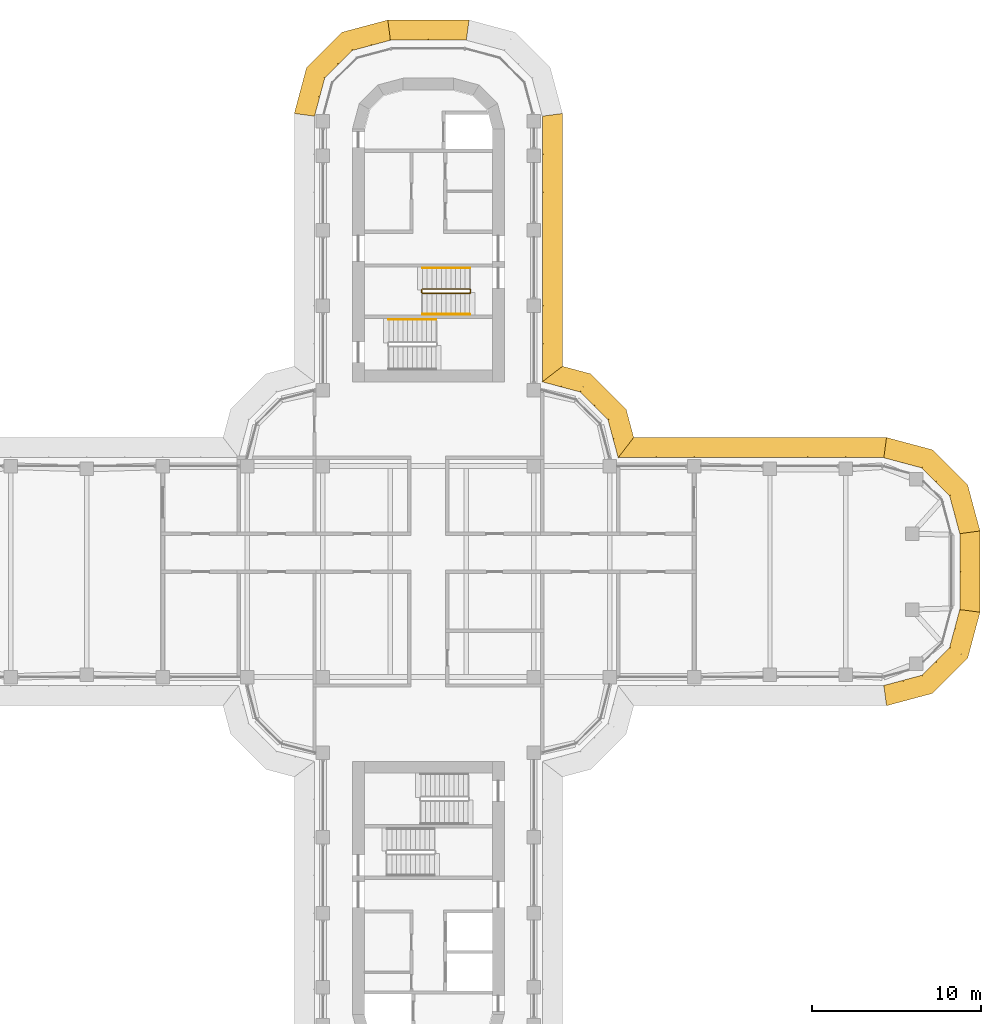
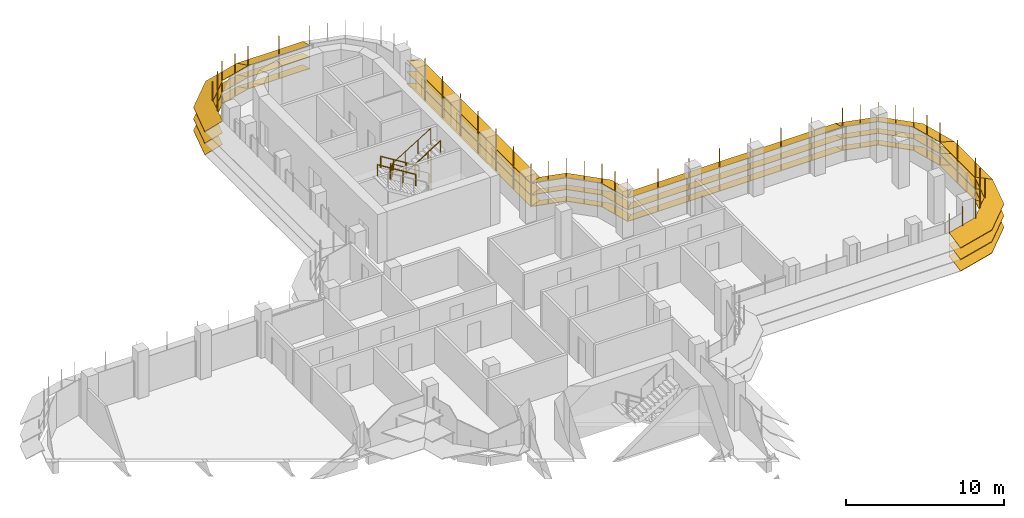
# One storey, part 19 of 20: 8 shading devices, 4 railings.
"""IFC4 building model written with IfcOpenShell, lengths in metres."""

from ifc_helpers import new_model, si_unit, direction, frame, origin, origin_2d, place, context, subcontext, project, spatial, polyline, circle, outline, extrude, faceted_brep, source, transform, mapped, material, type_object, element, save


model = new_model("IFC4")

# Units and contexts
model_context = context("Model", 3, precision=1e-05, world=origin(), true_north=direction((0.0, 1.0)))
body_context = subcontext(model_context, "Body", "Model", "MODEL_VIEW")
ifc_project = project(units=[si_unit("LENGTHUNIT", "METRE"), si_unit("AREAUNIT", "SQUARE_METRE"), si_unit("VOLUMEUNIT", "CUBIC_METRE"), si_unit("PLANEANGLEUNIT", "RADIAN"), si_unit("MASSUNIT", "GRAM", prefix="KILO")], contexts=[model_context])

# Site, building, storey
site_placement = place(None, origin())
site = spatial("IfcSite", under=ifc_project, at=site_placement, CompositionType="ELEMENT")
building_placement = place(site_placement, origin())
building = spatial("IfcBuilding", under=site, at=building_placement, Name="Zarbagh Exchange Tower", CompositionType="ELEMENT")
storey_placement = place(building_placement, frame((0.0, 0.0, 148.60009765625)))
storey = spatial("IfcBuildingStorey", under=building, at=storey_placement, Name="L35", CompositionType="ELEMENT", Elevation=148.60009765625)

# Railings
ifc_material_1 = material(Name="Stainless steel", Category="steel")
railing_type_1 = type_object("IfcRailingType", Name="Stair guard 1100 mm", PredefinedType="GUARDRAIL", material=ifc_material_1)
railing_1_placement = place(storey_placement, frame((-0.35009765625, 16.5, 2.072509765625)))
element("IfcRailing", 1, at=railing_1_placement, inside=storey, type_object=railing_type_1, Name="ST1 stair guard 1", PredefinedType="GUARDRAIL", context=body_context, shape_type="SweptSolid", body=[
    extrude(circle(Radius=0.02392578125, at=origin_2d()), frame((0.0, 0.0, 1.076171875), z_axis=(0.851089632645, 0.0, 0.525020415988), x_axis=(0.0, 1.0, 0.0)), (0.0, 0.0, 1.0), 3.2900390625),
    extrude(circle(Radius=0.02392578125, at=origin_2d()), frame((2.800048828125, 0.0, 2.80322265625), z_axis=(0.013169136761, 0.013169136761, -0.999826558796), x_axis=(-0.707106781187, 0.707106781187, 0.0)), (0.0, 0.0, 1.0), 3.800537109375),
    extrude(circle(Radius=0.02392578125, at=origin_2d()), frame((2.85009765625, 0.050048828125, -0.99658203125), z_axis=(0.0, 1.0, 0.0), x_axis=(-1.0, 0.0, 0.0)), (0.0, 0.0, 1.0), 0.14990234375),
    extrude(circle(Radius=0.02392578125, at=origin_2d()), frame((2.85009765625, 0.199951171875, -0.99658203125), z_axis=(-0.268277960024, 0.268277960024, 0.925231793839), x_axis=(-0.707106781187, -0.707106781187, 0.0)), (0.0, 0.0, 1.0), 0.1865234375),
    extrude(circle(Radius=0.02392578125, at=origin_2d()), frame((2.800048828125, 0.25, -0.82373046875), z_axis=(-0.851089632645, 0.0, 0.525020415988), x_axis=(0.0, -1.0, 0.0)), (0.0, 0.0, 1.0), 3.2900390625),
    extrude(circle(Radius=0.02392578125, at=origin_2d()), frame((0.0, 0.25, 0.9033203125), z_axis=(-0.705375805398, -0.708833529934, 0.0), x_axis=(0.708833529934, -0.705375805398, 0.0)), (0.0, 0.0, 1.0), 0.070556640625),
    extrude(circle(Radius=0.02392578125, at=origin_2d()), frame((-0.0498046875, 0.199951171875, 0.9033203125), z_axis=(0.0, -1.0, 0.0), x_axis=(1.0, 0.0, 0.0)), (0.0, 0.0, 1.0), 0.14990234375),
    extrude(circle(Radius=0.02099609375, at=origin_2d()), origin(), (0.0, 0.0, 1.0), 1.052001953125),
    extrude(circle(Radius=0.02099609375, at=origin_2d()), frame((0.933349609375, 0.0, 0.57568359375)), (0.0, 0.0, 1.0), 1.052001953125),
    extrude(circle(Radius=0.02099609375, at=origin_2d()), frame((1.86669921875, 0.0, 1.151611328125)), (0.0, 0.0, 1.0), 1.052001953125),
    extrude(circle(Radius=0.02099609375, at=origin_2d()), frame((2.800048828125, 0.0, 1.727294921875)), (0.0, 0.0, 1.0), 1.052001953125),
    extrude(circle(Radius=0.02099609375, at=origin_2d()), frame((2.8125, 0.012451171875, 0.77734375)), (0.0, 0.0, 1.0), 1.052001953125),
    extrude(circle(Radius=0.02099609375, at=origin_2d()), frame((2.8251953125, 0.02490234375, -0.172607421875)), (0.0, 0.0, 1.0), 1.052001953125),
    extrude(circle(Radius=0.02099609375, at=origin_2d()), frame((2.837646484375, 0.03759765625, -1.12255859375)), (0.0, 0.0, 1.0), 1.052001953125),
    extrude(circle(Radius=0.02099609375, at=origin_2d()), frame((2.85009765625, 0.050048828125, -2.072509765625)), (0.0, 0.0, 1.0), 1.052001953125),
    extrude(circle(Radius=0.02099609375, at=origin_2d()), frame((2.85009765625, 0.199951171875, -2.072509765625)), (0.0, 0.0, 1.0), 1.052001953125),
    extrude(circle(Radius=0.02099609375, at=origin_2d()), frame((2.800048828125, 0.25, -1.89990234375)), (0.0, 0.0, 1.0), 1.052001953125),
    extrude(circle(Radius=0.02099609375, at=origin_2d()), frame((1.86669921875, 0.25, -1.32421875)), (0.0, 0.0, 1.0), 1.052001953125),
    extrude(circle(Radius=0.02099609375, at=origin_2d()), frame((0.933349609375, 0.25, -0.748291015625)), (0.0, 0.0, 1.0), 1.052001953125),
    extrude(circle(Radius=0.02099609375, at=origin_2d()), frame((0.0, 0.25, -0.172607421875)), (0.0, 0.0, 1.0), 1.052001953125),
    extrude(circle(Radius=0.02099609375, at=origin_2d()), frame((-0.0498046875, 0.199951171875, -0.172607421875)), (0.0, 0.0, 1.0), 1.052001953125),
    extrude(circle(Radius=0.02099609375, at=origin_2d()), frame((-0.0498046875, 0.050048828125, -0.172607421875)), (0.0, 0.0, 1.0), 1.052001953125),
])
railing_type_2 = type_object("IfcRailingType", Name="Stair handrail 900 mm", PredefinedType="HANDRAIL", material=ifc_material_1)
railing_2_placement = place(storey_placement, frame((2.449951171875, 18.0, 0.172607421875)))
element("IfcRailing", 2, at=railing_2_placement, inside=storey, type_object=railing_type_2, Name="ST1 stair handrail 1", PredefinedType="HANDRAIL", context=body_context, shape_type="SweptSolid", body=[
    extrude(circle(Radius=0.02392578125, at=origin_2d()), frame((0.0, 0.0, 0.8759765625), z_axis=(-0.851089632645, 0.0, 0.525020415988), x_axis=(0.0, -1.0, 0.0)), (0.0, 0.0, 1.0), 3.2900390625),
    extrude(circle(Radius=0.02099609375, at=origin_2d()), origin(), (0.0, 0.0, 1.0), 0.851806640625),
    extrude(circle(Radius=0.02099609375, at=origin_2d()), frame((-0.933349609375, 0.0, 0.57568359375)), (0.0, 0.0, 1.0), 0.851806640625),
    extrude(circle(Radius=0.02099609375, at=origin_2d()), frame((-1.86669921875, 0.0, 1.151611328125)), (0.0, 0.0, 1.0), 0.851806640625),
    extrude(circle(Radius=0.02099609375, at=origin_2d()), frame((-2.800048828125, 0.0, 1.727294921875)), (0.0, 0.0, 1.0), 0.851806640625),
])
railing_3_placement = place(storey_placement, frame((-0.35009765625, 15.25, 2.072509765625)))
element("IfcRailing", 3, at=railing_3_placement, inside=storey, type_object=railing_type_2, Name="ST1 stair handrail 2", PredefinedType="HANDRAIL", context=body_context, shape_type="SweptSolid", body=[
    extrude(circle(Radius=0.02392578125, at=origin_2d()), frame((0.0, 0.0, 0.8759765625), z_axis=(0.851089632645, 0.0, 0.525020415988), x_axis=(0.0, 1.0, 0.0)), (0.0, 0.0, 1.0), 3.2900390625),
    extrude(circle(Radius=0.02099609375, at=origin_2d()), origin(), (0.0, 0.0, 1.0), 0.851806640625),
    extrude(circle(Radius=0.02099609375, at=origin_2d()), frame((0.933349609375, 0.0, 0.57568359375)), (0.0, 0.0, 1.0), 0.851806640625),
    extrude(circle(Radius=0.02099609375, at=origin_2d()), frame((1.86669921875, 0.0, 1.151611328125)), (0.0, 0.0, 1.0), 0.851806640625),
    extrude(circle(Radius=0.02099609375, at=origin_2d()), frame((2.800048828125, 0.0, 1.727294921875)), (0.0, 0.0, 1.0), 0.851806640625),
])
railing_4_placement = place(storey_placement, frame((0.449951171875, 14.949951171875, 2.072509765625)))
element("IfcRailing", 4, at=railing_4_placement, inside=storey, type_object=railing_type_2, Name="ST2 stair handrail 2", PredefinedType="HANDRAIL", context=body_context, shape_type="SweptSolid", body=[
    extrude(circle(Radius=0.02392578125, at=origin_2d()), frame((0.0, 0.0, 0.8759765625), z_axis=(-0.851089632645, 0.0, 0.525020415988), x_axis=(0.0, -1.0, 0.0)), (0.0, 0.0, 1.0), 3.2900390625),
    extrude(circle(Radius=0.02099609375, at=origin_2d()), origin(), (0.0, 0.0, 1.0), 0.851806640625),
    extrude(circle(Radius=0.02099609375, at=origin_2d()), frame((-0.933349609375, 0.0, 0.57568359375)), (0.0, 0.0, 1.0), 0.851806640625),
    extrude(circle(Radius=0.02099609375, at=origin_2d()), frame((-1.86669921875, 0.0, 1.151611328125)), (0.0, 0.0, 1.0), 0.851806640625),
    extrude(circle(Radius=0.02099609375, at=origin_2d()), frame((-2.800048828125, 0.0, 1.727294921875)), (0.0, 0.0, 1.0), 0.851806640625),
])

# Shading devices
ifc_material_2 = material(Name="Anodised aluminium blades and brackets", Category="aluminium")
shading_device_type = type_object("IfcShadingDeviceType", Name="SUNSHADE louvre band, 22.5 degree blades", PredefinedType="JALOUSIE", material=ifc_material_2)
shared_shape_1 = source(origin(), body_context, "Body", "Brep", [
    faceted_brep([(0.0, 0.0, 0.0), (0.0, 0.0, -0.043212890625), (-0.157958984375, -1.199951171875, -0.540283203125), (-0.157958984375, -1.199951171875, -0.4970703125), (2.65087890625, -1.199951171875, -0.4970703125), (2.65087890625, -1.199951171875, -0.540283203125), (2.329345703125, 0.0, -0.043212890625), (2.329345703125, 0.0, 0.0)], [[[0, 1, 2, 3]], [[4, 5, 6, 7]], [[0, 7, 6, 1]], [[1, 6, 5, 2]], [[2, 5, 4, 3]], [[3, 4, 7, 0]]]),
])
shared_shape_2 = source(origin(), body_context, "Body", "Brep", [
    faceted_brep([(0.0, 0.0, 0.0), (0.0, 0.0, -0.043212890625), (-0.321533203125, -1.199951171875, -0.540283203125), (-0.321533203125, -1.199951171875, -0.4970703125), (2.65087890625, -1.199951171875, -0.4970703125), (2.65087890625, -1.199951171875, -0.540283203125), (2.329345703125, 0.0, -0.043212890625), (2.329345703125, 0.0, 0.0)], [[[0, 1, 2, 3]], [[4, 5, 6, 7]], [[0, 7, 6, 1]], [[1, 6, 5, 2]], [[2, 5, 4, 3]], [[3, 4, 7, 0]]]),
])
shared_shape_3 = source(origin(), body_context, "Body", "Brep", [
    faceted_brep([(0.0, 0.0, 0.0), (0.0, 0.0, -0.043212890625), (-0.321533203125, -1.199951171875, -0.540283203125), (-0.321533203125, -1.199951171875, -0.4970703125), (2.4873046875, -1.199951171875, -0.4970703125), (2.4873046875, -1.199951171875, -0.540283203125), (2.329345703125, 0.0, -0.043212890625), (2.329345703125, 0.0, 0.0)], [[[0, 1, 2, 3]], [[4, 5, 6, 7]], [[0, 7, 6, 1]], [[1, 6, 5, 2]], [[2, 5, 4, 3]], [[3, 4, 7, 0]]]),
])
shared_shape_4 = source(origin(), body_context, "Body", "SweptSolid", [
    extrude(outline(polyline([(0.0, -0.012451171875), (0.06005859375, -0.012451171875), (0.06005859375, 0.012451171875), (0.0, 0.012451171875), (0.0, -0.012451171875)])), origin(), (0.0, 0.0, 1.0), 3.353271484375),
])
placement = place(storey_placement, origin())
element("IfcShadingDevice", 5, at=placement, inside=storey, type_object=shading_device_type, Name="SS31 sunshade band", PredefinedType="JALOUSIE", context=body_context, shape_type="MappedRepresentation", body=[
    mapped(shared_shape_1, transform((27.0, -6.75, 2.2998046875), x_axis=(0.965924289636, 0.258824779902, 0.0), y_axis=(-0.258824779902, 0.965924289636, 0.0), z_axis=(0.0, 0.0, 1.0))),
    mapped(shared_shape_1, transform((27.0, -6.75, 1.39990234375), x_axis=(0.965924289636, 0.258824779902, 0.0), y_axis=(-0.258824779902, 0.965924289636, 0.0), z_axis=(0.0, 0.0, 1.0))),
    mapped(shared_shape_1, transform((27.0, -6.75, 0.5), x_axis=(0.965924289636, 0.258824779902, 0.0), y_axis=(-0.258824779902, 0.965924289636, 0.0), z_axis=(0.0, 0.0, 1.0))),
    mapped(shared_shape_2, transform((29.25, -6.147216796875, 2.2998046875), x_axis=(0.707106781187, 0.707106781187, 0.0), y_axis=(-0.707106781187, 0.707106781187, 0.0), z_axis=(0.0, 0.0, 1.0))),
    mapped(shared_shape_2, transform((29.25, -6.147216796875, 1.39990234375), x_axis=(0.707106781187, 0.707106781187, 0.0), y_axis=(-0.707106781187, 0.707106781187, 0.0), z_axis=(0.0, 0.0, 1.0))),
    mapped(shared_shape_2, transform((29.25, -6.147216796875, 0.5), x_axis=(0.707106781187, 0.707106781187, 0.0), y_axis=(-0.707106781187, 0.707106781187, 0.0), z_axis=(0.0, 0.0, 1.0))),
    mapped(shared_shape_3, transform((30.897216796875, -4.5, 2.2998046875), x_axis=(0.258824779902, 0.965924289636, 0.0), y_axis=(-0.965924289636, 0.258824779902, 0.0), z_axis=(0.0, 0.0, 1.0))),
    mapped(shared_shape_3, transform((30.897216796875, -4.5, 1.39990234375), x_axis=(0.258824779902, 0.965924289636, 0.0), y_axis=(-0.965924289636, 0.258824779902, 0.0), z_axis=(0.0, 0.0, 1.0))),
    mapped(shared_shape_3, transform((30.897216796875, -4.5, 0.5), x_axis=(0.258824779902, 0.965924289636, 0.0), y_axis=(-0.965924289636, 0.258824779902, 0.0), z_axis=(0.0, 0.0, 1.0))),
    mapped(shared_shape_4, transform((27.0, -6.75, 0.426513671875), x_axis=(0.130529263012, -0.991444457092, 0.0), y_axis=(0.991444457092, 0.130529263012, 0.0), z_axis=(0.0, 0.0, 1.0))),
    mapped(shared_shape_4, transform((28.125, -6.448486328125, 0.426513671875), x_axis=(0.258825058029, -0.96592421511, 0.0), y_axis=(0.96592421511, 0.258825058029, 0.0), z_axis=(0.0, 0.0, 1.0))),
    mapped(shared_shape_4, transform((29.25, -6.147216796875, 0.426513671875), x_axis=(0.50000275701, -0.866023812018, 0.0), y_axis=(0.866023812018, 0.50000275701, 0.0), z_axis=(0.0, 0.0, 1.0))),
    mapped(shared_shape_4, transform((30.073486328125, -5.323486328125, 0.426513671875), x_axis=(0.707106781187, -0.707106781187, 0.0), y_axis=(0.707106781187, 0.707106781187, 0.0), z_axis=(0.0, 0.0, 1.0))),
    mapped(shared_shape_4, transform((30.897216796875, -4.5, 0.426513671875), x_axis=(0.866023812018, -0.50000275701, 0.0), y_axis=(0.50000275701, 0.866023812018, 0.0), z_axis=(0.0, 0.0, 1.0))),
    mapped(shared_shape_4, transform((31.198486328125, -3.375, 0.426513671875), x_axis=(0.96592421511, -0.258825058029, 0.0), y_axis=(0.258825058029, 0.96592421511, 0.0), z_axis=(0.0, 0.0, 1.0))),
])
element("IfcShadingDevice", 6, at=placement, inside=storey, type_object=shading_device_type, Name="SS33 sunshade band", PredefinedType="JALOUSIE", context=body_context, shape_type="MappedRepresentation", body=[
    mapped(shared_shape_1, transform((31.5, 2.25, 2.2998046875), x_axis=(-0.258824779902, 0.965924289636, 0.0), y_axis=(-0.965924289636, -0.258824779902, 0.0), z_axis=(0.0, 0.0, 1.0))),
    mapped(shared_shape_1, transform((31.5, 2.25, 1.39990234375), x_axis=(-0.258824779902, 0.965924289636, 0.0), y_axis=(-0.965924289636, -0.258824779902, 0.0), z_axis=(0.0, 0.0, 1.0))),
    mapped(shared_shape_1, transform((31.5, 2.25, 0.5), x_axis=(-0.258824779902, 0.965924289636, 0.0), y_axis=(-0.965924289636, -0.258824779902, 0.0), z_axis=(0.0, 0.0, 1.0))),
    mapped(shared_shape_2, transform((30.897216796875, 4.5, 2.2998046875), x_axis=(-0.707106781187, 0.707106781187, 0.0), y_axis=(-0.707106781187, -0.707106781187, 0.0), z_axis=(0.0, 0.0, 1.0))),
    mapped(shared_shape_2, transform((30.897216796875, 4.5, 1.39990234375), x_axis=(-0.707106781187, 0.707106781187, 0.0), y_axis=(-0.707106781187, -0.707106781187, 0.0), z_axis=(0.0, 0.0, 1.0))),
    mapped(shared_shape_2, transform((30.897216796875, 4.5, 0.5), x_axis=(-0.707106781187, 0.707106781187, 0.0), y_axis=(-0.707106781187, -0.707106781187, 0.0), z_axis=(0.0, 0.0, 1.0))),
    mapped(shared_shape_3, transform((29.25, 6.147216796875, 2.2998046875), x_axis=(-0.965924289636, 0.258824779902, 0.0), y_axis=(-0.258824779902, -0.965924289636, 0.0), z_axis=(0.0, 0.0, 1.0))),
    mapped(shared_shape_3, transform((29.25, 6.147216796875, 1.39990234375), x_axis=(-0.965924289636, 0.258824779902, 0.0), y_axis=(-0.258824779902, -0.965924289636, 0.0), z_axis=(0.0, 0.0, 1.0))),
    mapped(shared_shape_3, transform((29.25, 6.147216796875, 0.5), x_axis=(-0.965924289636, 0.258824779902, 0.0), y_axis=(-0.258824779902, -0.965924289636, 0.0), z_axis=(0.0, 0.0, 1.0))),
    mapped(shared_shape_4, transform((31.5, 2.25, 0.426513671875), x_axis=(0.991444457092, 0.130529263012, 0.0), y_axis=(-0.130529263012, 0.991444457092, 0.0), z_axis=(0.0, 0.0, 1.0))),
    mapped(shared_shape_4, transform((31.198486328125, 3.375, 0.426513671875), x_axis=(0.96592421511, 0.258825058029, 0.0), y_axis=(-0.258825058029, 0.96592421511, 0.0), z_axis=(0.0, 0.0, 1.0))),
    mapped(shared_shape_4, transform((30.897216796875, 4.5, 0.426513671875), x_axis=(0.866023812018, 0.50000275701, 0.0), y_axis=(-0.50000275701, 0.866023812018, 0.0), z_axis=(0.0, 0.0, 1.0))),
    mapped(shared_shape_4, transform((30.073486328125, 5.323486328125, 0.426513671875), x_axis=(0.707106781187, 0.707106781187, 0.0), y_axis=(-0.707106781187, 0.707106781187, 0.0), z_axis=(0.0, 0.0, 1.0))),
    mapped(shared_shape_4, transform((29.25, 6.147216796875, 0.426513671875), x_axis=(0.50000275701, 0.866023812018, 0.0), y_axis=(-0.866023812018, 0.50000275701, 0.0), z_axis=(0.0, 0.0, 1.0))),
    mapped(shared_shape_4, transform((28.125, 6.448486328125, 0.426513671875), x_axis=(0.258825058029, 0.96592421511, 0.0), y_axis=(-0.96592421511, 0.258825058029, 0.0), z_axis=(0.0, 0.0, 1.0))),
])
element("IfcShadingDevice", 7, at=placement, inside=storey, type_object=shading_device_type, Name="SS28 sunshade band", PredefinedType="JALOUSIE", context=body_context, shape_type="MappedRepresentation", body=[
    mapped(shared_shape_1, transform((-2.25, 31.5, 2.2998046875), x_axis=(-0.965924289636, -0.258824779902, 0.0), y_axis=(0.258824779902, -0.965924289636, 0.0), z_axis=(0.0, 0.0, 1.0))),
    mapped(shared_shape_1, transform((-2.25, 31.5, 1.39990234375), x_axis=(-0.965924289636, -0.258824779902, 0.0), y_axis=(0.258824779902, -0.965924289636, 0.0), z_axis=(0.0, 0.0, 1.0))),
    mapped(shared_shape_1, transform((-2.25, 31.5, 0.5), x_axis=(-0.965924289636, -0.258824779902, 0.0), y_axis=(0.258824779902, -0.965924289636, 0.0), z_axis=(0.0, 0.0, 1.0))),
    mapped(shared_shape_2, transform((-4.5, 30.897216796875, 2.2998046875), x_axis=(-0.707106781187, -0.707106781187, 0.0), y_axis=(0.707106781187, -0.707106781187, 0.0), z_axis=(0.0, 0.0, 1.0))),
    mapped(shared_shape_2, transform((-4.5, 30.897216796875, 1.39990234375), x_axis=(-0.707106781187, -0.707106781187, 0.0), y_axis=(0.707106781187, -0.707106781187, 0.0), z_axis=(0.0, 0.0, 1.0))),
    mapped(shared_shape_2, transform((-4.5, 30.897216796875, 0.5), x_axis=(-0.707106781187, -0.707106781187, 0.0), y_axis=(0.707106781187, -0.707106781187, 0.0), z_axis=(0.0, 0.0, 1.0))),
    mapped(shared_shape_3, transform((-6.147216796875, 29.25, 2.2998046875), x_axis=(-0.258824779902, -0.965924289636, 0.0), y_axis=(0.965924289636, -0.258824779902, 0.0), z_axis=(0.0, 0.0, 1.0))),
    mapped(shared_shape_3, transform((-6.147216796875, 29.25, 1.39990234375), x_axis=(-0.258824779902, -0.965924289636, 0.0), y_axis=(0.965924289636, -0.258824779902, 0.0), z_axis=(0.0, 0.0, 1.0))),
    mapped(shared_shape_3, transform((-6.147216796875, 29.25, 0.5), x_axis=(-0.258824779902, -0.965924289636, 0.0), y_axis=(0.965924289636, -0.258824779902, 0.0), z_axis=(0.0, 0.0, 1.0))),
    mapped(shared_shape_4, transform((-2.25, 31.5, 0.426513671875), x_axis=(-0.130529263012, 0.991444457092, 0.0), y_axis=(-0.991444457092, -0.130529263012, 0.0), z_axis=(0.0, 0.0, 1.0))),
    mapped(shared_shape_4, transform((-3.375, 31.198486328125, 0.426513671875), x_axis=(-0.258825058029, 0.96592421511, 0.0), y_axis=(-0.96592421511, -0.258825058029, 0.0), z_axis=(0.0, 0.0, 1.0))),
    mapped(shared_shape_4, transform((-4.5, 30.897216796875, 0.426513671875), x_axis=(-0.50000275701, 0.866023812018, 0.0), y_axis=(-0.866023812018, -0.50000275701, 0.0), z_axis=(0.0, 0.0, 1.0))),
    mapped(shared_shape_4, transform((-5.323486328125, 30.073486328125, 0.426513671875), x_axis=(-0.707106781187, 0.707106781187, 0.0), y_axis=(-0.707106781187, -0.707106781187, 0.0), z_axis=(0.0, 0.0, 1.0))),
    mapped(shared_shape_4, transform((-6.147216796875, 29.25, 0.426513671875), x_axis=(-0.866023812018, 0.50000275701, 0.0), y_axis=(-0.50000275701, -0.866023812018, 0.0), z_axis=(0.0, 0.0, 1.0))),
    mapped(shared_shape_4, transform((-6.448486328125, 28.125, 0.426513671875), x_axis=(-0.96592421511, 0.258825058029, 0.0), y_axis=(-0.258825058029, -0.96592421511, 0.0), z_axis=(0.0, 0.0, 1.0))),
])
shared_shape_5 = source(origin(), body_context, "Body", "Brep", [
    faceted_brep([(0.0, 0.0, 0.0), (0.0, 0.0, -0.043212890625), (0.9208984375, -1.199951171875, -0.540283203125), (0.9208984375, -1.199951171875, -0.4970703125), (2.65087890625, -1.199951171875, -0.4970703125), (2.65087890625, -1.199951171875, -0.540283203125), (2.329345703125, 0.0, -0.043212890625), (2.329345703125, 0.0, 0.0)], [[[0, 1, 2, 3]], [[4, 5, 6, 7]], [[0, 7, 6, 1]], [[1, 6, 5, 2]], [[2, 5, 4, 3]], [[3, 4, 7, 0]]]),
])
shared_shape_6 = source(origin(), body_context, "Body", "Brep", [
    faceted_brep([(0.0, 0.0, 0.0), (0.0, 0.0, -0.043212890625), (-0.321533203125, -1.199951171875, -0.540283203125), (-0.321533203125, -1.199951171875, -0.4970703125), (1.40869140625, -1.199951171875, -0.4970703125), (1.40869140625, -1.199951171875, -0.540283203125), (2.329345703125, 0.0, -0.043212890625), (2.329345703125, 0.0, 0.0)], [[[0, 1, 2, 3]], [[4, 5, 6, 7]], [[0, 7, 6, 1]], [[1, 6, 5, 2]], [[2, 5, 4, 3]], [[3, 4, 7, 0]]]),
])
element("IfcShadingDevice", 8, at=placement, inside=storey, type_object=shading_device_type, Name="SS09 sunshade band", PredefinedType="JALOUSIE", context=body_context, shape_type="MappedRepresentation", body=[
    mapped(shared_shape_5, transform((11.25, 6.75, 2.2998046875), x_axis=(-0.258824779902, 0.965924289636, 0.0), y_axis=(-0.965924289636, -0.258824779902, 0.0), z_axis=(0.0, 0.0, 1.0))),
    mapped(shared_shape_5, transform((11.25, 6.75, 1.39990234375), x_axis=(-0.258824779902, 0.965924289636, 0.0), y_axis=(-0.965924289636, -0.258824779902, 0.0), z_axis=(0.0, 0.0, 1.0))),
    mapped(shared_shape_5, transform((11.25, 6.75, 0.5), x_axis=(-0.258824779902, 0.965924289636, 0.0), y_axis=(-0.965924289636, -0.258824779902, 0.0), z_axis=(0.0, 0.0, 1.0))),
    mapped(shared_shape_2, transform((10.647216796875, 9.0, 2.2998046875), x_axis=(-0.707106781187, 0.707106781187, 0.0), y_axis=(-0.707106781187, -0.707106781187, 0.0), z_axis=(0.0, 0.0, 1.0))),
    mapped(shared_shape_2, transform((10.647216796875, 9.0, 1.39990234375), x_axis=(-0.707106781187, 0.707106781187, 0.0), y_axis=(-0.707106781187, -0.707106781187, 0.0), z_axis=(0.0, 0.0, 1.0))),
    mapped(shared_shape_2, transform((10.647216796875, 9.0, 0.5), x_axis=(-0.707106781187, 0.707106781187, 0.0), y_axis=(-0.707106781187, -0.707106781187, 0.0), z_axis=(0.0, 0.0, 1.0))),
    mapped(shared_shape_6, transform((9.0, 10.647216796875, 2.2998046875), x_axis=(-0.965924289636, 0.258824779902, 0.0), y_axis=(-0.258824779902, -0.965924289636, 0.0), z_axis=(0.0, 0.0, 1.0))),
    mapped(shared_shape_6, transform((9.0, 10.647216796875, 1.39990234375), x_axis=(-0.965924289636, 0.258824779902, 0.0), y_axis=(-0.258824779902, -0.965924289636, 0.0), z_axis=(0.0, 0.0, 1.0))),
    mapped(shared_shape_6, transform((9.0, 10.647216796875, 0.5), x_axis=(-0.965924289636, 0.258824779902, 0.0), y_axis=(-0.258824779902, -0.965924289636, 0.0), z_axis=(0.0, 0.0, 1.0))),
    mapped(shared_shape_4, transform((11.25, 6.75, 0.426513671875), x_axis=(0.608758892, 0.793355287, 0.0), y_axis=(-0.793355287, 0.608758892, 0.0), z_axis=(0.0, 0.0, 1.0))),
    mapped(shared_shape_4, transform((10.948486328125, 7.875, 0.426513671875), x_axis=(0.96592421511, 0.258825058029, 0.0), y_axis=(-0.258825058029, 0.96592421511, 0.0), z_axis=(0.0, 0.0, 1.0))),
    mapped(shared_shape_4, transform((10.647216796875, 9.0, 0.426513671875), x_axis=(0.866023812018, 0.50000275701, 0.0), y_axis=(-0.50000275701, 0.866023812018, 0.0), z_axis=(0.0, 0.0, 1.0))),
    mapped(shared_shape_4, transform((9.823486328125, 9.823486328125, 0.426513671875), x_axis=(0.707106781187, 0.707106781187, 0.0), y_axis=(-0.707106781187, 0.707106781187, 0.0), z_axis=(0.0, 0.0, 1.0))),
    mapped(shared_shape_4, transform((9.0, 10.647216796875, 0.426513671875), x_axis=(0.50000275701, 0.866023812018, 0.0), y_axis=(-0.866023812018, 0.50000275701, 0.0), z_axis=(0.0, 0.0, 1.0))),
    mapped(shared_shape_4, transform((7.875, 10.948486328125, 0.426513671875), x_axis=(0.258825058029, 0.96592421511, 0.0), y_axis=(-0.96592421511, 0.258825058029, 0.0), z_axis=(0.0, 0.0, 1.0))),
])
shared_shape_7 = source(origin(), body_context, "Body", "Brep", [
    faceted_brep([(0.0, 0.0, 0.0), (0.0, 0.0, -0.043212890625), (-0.157958984375, -1.199951171875, -0.540283203125), (-0.157958984375, -1.199951171875, -0.4970703125), (4.657958984375, -1.199951171875, -0.4970703125), (4.657958984375, -1.199951171875, -0.540283203125), (4.5, 0.0, -0.043212890625), (4.5, 0.0, 0.0)], [[[0, 1, 2, 3]], [[4, 5, 6, 7]], [[0, 7, 6, 1]], [[1, 6, 5, 2]], [[2, 5, 4, 3]], [[3, 4, 7, 0]]]),
])
element("IfcShadingDevice", 9, at=placement, inside=storey, type_object=shading_device_type, Name="SS32 sunshade band", PredefinedType="JALOUSIE", context=body_context, shape_type="MappedRepresentation", body=[
    mapped(shared_shape_7, transform((31.5, -2.25, 2.2998046875), x_axis=(0.0, 1.0, 0.0), y_axis=(-1.0, 0.0, 0.0), z_axis=(0.0, 0.0, 1.0))),
    mapped(shared_shape_7, transform((31.5, -2.25, 1.39990234375), x_axis=(0.0, 1.0, 0.0), y_axis=(-1.0, 0.0, 0.0), z_axis=(0.0, 0.0, 1.0))),
    mapped(shared_shape_7, transform((31.5, -2.25, 0.5), x_axis=(0.0, 1.0, 0.0), y_axis=(-1.0, 0.0, 0.0), z_axis=(0.0, 0.0, 1.0))),
    mapped(shared_shape_4, transform((31.5, -2.25, 0.426513671875), x_axis=(0.991444457092, -0.130529263012, 0.0), y_axis=(0.130529263012, 0.991444457092, 0.0), z_axis=(0.0, 0.0, 1.0))),
    mapped(shared_shape_4, transform((31.5, 0.0, 0.426513671875), x_axis=(1.0, 0.0, 0.0), y_axis=(0.0, 1.0, 0.0), z_axis=(0.0, 0.0, 1.0))),
])
shared_shape_8 = source(origin(), body_context, "Body", "Brep", [
    faceted_brep([(0.0, 0.0, 0.0), (0.0, 0.0, -0.043212890625), (-0.157958984375, -1.199951171875, -0.540283203125), (-0.157958984375, -1.199951171875, -0.4970703125), (14.8291015625, -1.199951171875, -0.4970703125), (14.8291015625, -1.199951171875, -0.540283203125), (15.75, 0.0, -0.043212890625), (15.75, 0.0, 0.0)], [[[0, 1, 2, 3]], [[4, 5, 6, 7]], [[0, 7, 6, 1]], [[1, 6, 5, 2]], [[2, 5, 4, 3]], [[3, 4, 7, 0]]]),
])
element("IfcShadingDevice", 10, at=placement, inside=storey, type_object=shading_device_type, Name="SS34 sunshade band", PredefinedType="JALOUSIE", context=body_context, shape_type="MappedRepresentation", body=[
    mapped(shared_shape_8, transform((27.0, 6.75, 2.2998046875), x_axis=(-1.0, 0.0, 0.0), y_axis=(0.0, -1.0, 0.0), z_axis=(0.0, 0.0, 1.0))),
    mapped(shared_shape_8, transform((27.0, 6.75, 1.39990234375), x_axis=(-1.0, 0.0, 0.0), y_axis=(0.0, -1.0, 0.0), z_axis=(0.0, 0.0, 1.0))),
    mapped(shared_shape_8, transform((27.0, 6.75, 0.5), x_axis=(-1.0, 0.0, 0.0), y_axis=(0.0, -1.0, 0.0), z_axis=(0.0, 0.0, 1.0))),
    mapped(shared_shape_4, transform((27.0, 6.75, 0.426513671875), x_axis=(0.130529263012, 0.991444457092, 0.0), y_axis=(-0.991444457092, 0.130529263012, 0.0), z_axis=(0.0, 0.0, 1.0))),
    mapped(shared_shape_4, transform((24.75, 6.75, 0.426513671875), x_axis=(0.0, 1.0, 0.0), y_axis=(-1.0, 0.0, 0.0), z_axis=(0.0, 0.0, 1.0))),
    mapped(shared_shape_4, transform((22.5, 6.75, 0.426513671875), x_axis=(0.0, 1.0, 0.0), y_axis=(-1.0, 0.0, 0.0), z_axis=(0.0, 0.0, 1.0))),
    mapped(shared_shape_4, transform((20.25, 6.75, 0.426513671875), x_axis=(0.0, 1.0, 0.0), y_axis=(-1.0, 0.0, 0.0), z_axis=(0.0, 0.0, 1.0))),
    mapped(shared_shape_4, transform((18.0, 6.75, 0.426513671875), x_axis=(0.0, 1.0, 0.0), y_axis=(-1.0, 0.0, 0.0), z_axis=(0.0, 0.0, 1.0))),
    mapped(shared_shape_4, transform((15.75, 6.75, 0.426513671875), x_axis=(0.0, 1.0, 0.0), y_axis=(-1.0, 0.0, 0.0), z_axis=(0.0, 0.0, 1.0))),
    mapped(shared_shape_4, transform((13.5, 6.75, 0.426513671875), x_axis=(0.0, 1.0, 0.0), y_axis=(-1.0, 0.0, 0.0), z_axis=(0.0, 0.0, 1.0))),
])
shared_shape_9 = source(origin(), body_context, "Body", "Brep", [
    faceted_brep([(0.0, 0.0, 0.0), (0.0, 0.0, -0.043212890625), (0.9208984375, -1.199951171875, -0.540283203125), (0.9208984375, -1.199951171875, -0.4970703125), (15.907958984375, -1.199951171875, -0.4970703125), (15.907958984375, -1.199951171875, -0.540283203125), (15.75, 0.0, -0.043212890625), (15.75, 0.0, 0.0)], [[[0, 1, 2, 3]], [[4, 5, 6, 7]], [[0, 7, 6, 1]], [[1, 6, 5, 2]], [[2, 5, 4, 3]], [[3, 4, 7, 0]]]),
])
element("IfcShadingDevice", 11, at=placement, inside=storey, type_object=shading_device_type, Name="SS25 sunshade band", PredefinedType="JALOUSIE", context=body_context, shape_type="MappedRepresentation", body=[
    mapped(shared_shape_9, transform((6.75, 11.25, 2.2998046875), x_axis=(0.0, 1.0, 0.0), y_axis=(-1.0, 0.0, 0.0), z_axis=(0.0, 0.0, 1.0))),
    mapped(shared_shape_9, transform((6.75, 11.25, 1.39990234375), x_axis=(0.0, 1.0, 0.0), y_axis=(-1.0, 0.0, 0.0), z_axis=(0.0, 0.0, 1.0))),
    mapped(shared_shape_9, transform((6.75, 11.25, 0.5), x_axis=(0.0, 1.0, 0.0), y_axis=(-1.0, 0.0, 0.0), z_axis=(0.0, 0.0, 1.0))),
    mapped(shared_shape_4, transform((6.75, 11.25, 0.426513671875), x_axis=(0.793355287, 0.608758892, 0.0), y_axis=(-0.608758892, 0.793355287, 0.0), z_axis=(0.0, 0.0, 1.0))),
    mapped(shared_shape_4, transform((6.75, 13.5, 0.426513671875), x_axis=(1.0, 0.0, 0.0), y_axis=(0.0, 1.0, 0.0), z_axis=(0.0, 0.0, 1.0))),
    mapped(shared_shape_4, transform((6.75, 15.75, 0.426513671875), x_axis=(1.0, 0.0, 0.0), y_axis=(0.0, 1.0, 0.0), z_axis=(0.0, 0.0, 1.0))),
    mapped(shared_shape_4, transform((6.75, 18.0, 0.426513671875), x_axis=(1.0, 0.0, 0.0), y_axis=(0.0, 1.0, 0.0), z_axis=(0.0, 0.0, 1.0))),
    mapped(shared_shape_4, transform((6.75, 20.25, 0.426513671875), x_axis=(1.0, 0.0, 0.0), y_axis=(0.0, 1.0, 0.0), z_axis=(0.0, 0.0, 1.0))),
    mapped(shared_shape_4, transform((6.75, 22.5, 0.426513671875), x_axis=(1.0, 0.0, 0.0), y_axis=(0.0, 1.0, 0.0), z_axis=(0.0, 0.0, 1.0))),
    mapped(shared_shape_4, transform((6.75, 24.75, 0.426513671875), x_axis=(1.0, 0.0, 0.0), y_axis=(0.0, 1.0, 0.0), z_axis=(0.0, 0.0, 1.0))),
])
element("IfcShadingDevice", 12, at=placement, inside=storey, type_object=shading_device_type, Name="SS27 sunshade band", PredefinedType="JALOUSIE", context=body_context, shape_type="MappedRepresentation", body=[
    mapped(shared_shape_7, transform((2.25, 31.5, 2.2998046875), x_axis=(-1.0, 0.0, 0.0), y_axis=(0.0, -1.0, 0.0), z_axis=(0.0, 0.0, 1.0))),
    mapped(shared_shape_7, transform((2.25, 31.5, 1.39990234375), x_axis=(-1.0, 0.0, 0.0), y_axis=(0.0, -1.0, 0.0), z_axis=(0.0, 0.0, 1.0))),
    mapped(shared_shape_7, transform((2.25, 31.5, 0.5), x_axis=(-1.0, 0.0, 0.0), y_axis=(0.0, -1.0, 0.0), z_axis=(0.0, 0.0, 1.0))),
    mapped(shared_shape_4, transform((2.25, 31.5, 0.426513671875), x_axis=(0.130529263012, 0.991444457092, 0.0), y_axis=(-0.991444457092, 0.130529263012, 0.0), z_axis=(0.0, 0.0, 1.0))),
    mapped(shared_shape_4, transform((0.0, 31.5, 0.426513671875), x_axis=(0.0, 1.0, 0.0), y_axis=(-1.0, 0.0, 0.0), z_axis=(0.0, 0.0, 1.0))),
])

save(model, "model.ifc")
